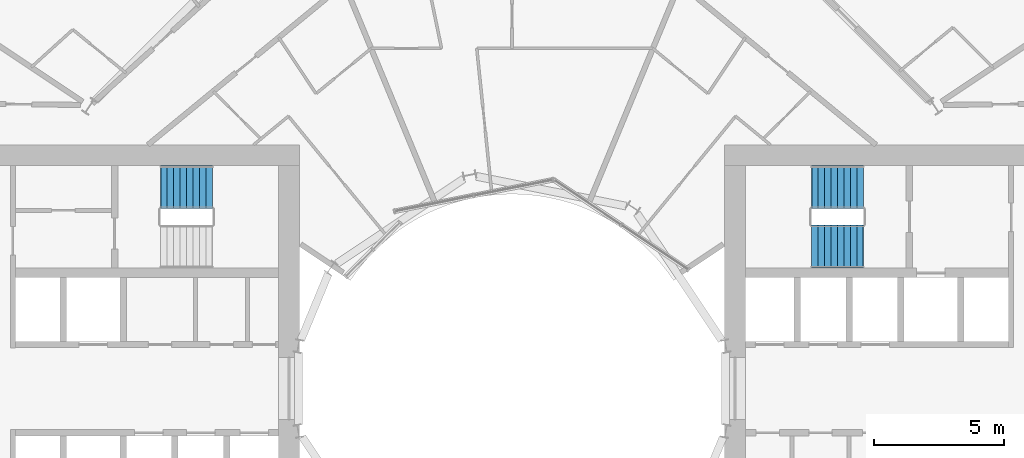
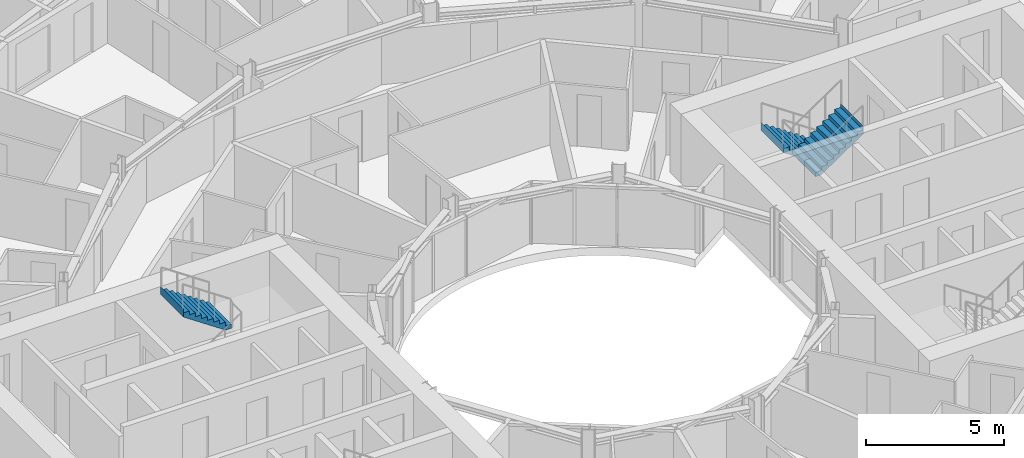
# One storey, part 24 of 26: 3 stair flights, 2 elements without a shape of their own.
"""IFC4 building model written with IfcOpenShell, lengths in metres."""

import ifcopenshell
import ifcopenshell.guid

model = None  # the IFC model being written
_history = None  # IfcOwnerHistory: only IFC2X3 demands one
_inside = {}  # id of a spatial element -> (the spatial element, [elements in it])
_under = {}  # id of a project, library or spatial element -> (it, [spatial elements below it])
_declared = {}  # id of a project -> (the project, [libraries it declares])
_typed = {}  # id of a type object -> (the type object, [elements of that type])
_made_of = {}  # id of a material, layer set ... -> (it, [elements and type objects made of it])


def new_model(schema):
    """Start an empty IFC model of exactly this schema.

    Asked for "IFC4X3", IfcOpenShell would pick the latest addendum, in which some entities
    have other attributes; the version numbers below select the first issue.
    IFC2X3 requires an IfcOwnerHistory on every rooted entity: one is made here for all.
    """
    global model, _history
    if schema == "IFC4X3":
        model = ifcopenshell.file(schema_version=(4, 3, 0, 0))
    else:
        model = ifcopenshell.file(schema=schema)
    _inside.clear()
    _under.clear()
    _declared.clear()
    _typed.clear()
    _made_of.clear()
    _history = None
    if model.schema == "IFC2X3":
        org = make("IfcOrganization", Name="unknown")
        user = make(
            "IfcPersonAndOrganization",
            ThePerson=make("IfcPerson", FamilyName="unknown"),
            TheOrganization=org,
        )
        app = make(
            "IfcApplication",
            ApplicationDeveloper=org,
            Version="unknown",
            ApplicationFullName="unknown",
            ApplicationIdentifier="unknown",
        )
        _history = make(
            "IfcOwnerHistory",
            OwningUser=user,
            OwningApplication=app,
            ChangeAction="ADDED",
            CreationDate=0,
        )
    return model


def make(cls, **values):
    """One entity of the class cls with the attributes given. An attribute that is None is left unset."""
    return model.create_entity(
        cls, **{name: value for name, value in values.items() if value is not None}
    )


def rooted(cls, **values):
    """An entity with a GlobalId (a new one), such as an element, a storey or a relation."""
    return make(cls, GlobalId=ifcopenshell.guid.new(), OwnerHistory=_history, **values)


def si_unit(unit_type, name, prefix=None):
    """IfcSIUnit, for example si_unit("LENGTHUNIT", "METRE", prefix="MILLI")."""
    return make("IfcSIUnit", UnitType=unit_type, Prefix=prefix, Name=name)


def assignment(units):
    """IfcUnitAssignment: the units of a project."""
    return None if units is None else make("IfcUnitAssignment", Units=units)


def point(xyz):
    """IfcCartesianPoint."""
    return None if xyz is None else make("IfcCartesianPoint", Coordinates=xyz)


def direction(xyz):
    """IfcDirection."""
    return None if xyz is None else make("IfcDirection", DirectionRatios=xyz)


def frame(location, z_axis=None, x_axis=None):
    """IfcAxis2Placement3D, a coordinate frame: its origin and axes. An axis left out is left unset."""
    return make(
        "IfcAxis2Placement3D",
        Location=point(location),
        Axis=direction(z_axis),
        RefDirection=direction(x_axis),
    )


def origin():
    """The frame at (0, 0, 0) with its axes left unset."""
    return frame((0.0, 0.0, 0.0))


def place(relative_to, where):
    """IfcLocalPlacement: puts the frame where relative to a parent placement (None: the world)."""
    return make(
        "IfcLocalPlacement", PlacementRelTo=relative_to, RelativePlacement=where
    )


def context(
    kind, dimensions, precision=None, world=None, true_north=None, identifier=None
):
    """IfcGeometricRepresentationContext, for example the 3D "Model" context."""
    return make(
        "IfcGeometricRepresentationContext",
        ContextIdentifier=identifier,
        ContextType=kind,
        CoordinateSpaceDimension=dimensions,
        Precision=precision,
        WorldCoordinateSystem=world,
        TrueNorth=true_north,
    )


def subcontext(parent, identifier, kind, view, scale=None):
    """IfcGeometricRepresentationSubContext, for example "Body" below "Model"."""
    return make(
        "IfcGeometricRepresentationSubContext",
        ContextIdentifier=identifier,
        ContextType=kind,
        ParentContext=parent,
        TargetScale=scale,
        TargetView=view,
    )


def project(units=None, contexts=None):
    """IfcProject with its units and contexts."""
    return rooted(
        "IfcProject",
        Name="project",
        RepresentationContexts=contexts,
        UnitsInContext=assignment(units),
    )


def spatial(cls, under=None, at=None, **own):
    """A site, building, storey or space (cls), placed at a placement, below another one or the project."""
    s = rooted(cls, ObjectPlacement=at, **own)
    if under is not None:
        _under.setdefault(under.id(), (under, []))[1].append(s)
    return s


def point_list(points):
    """IfcCartesianPointList2D or 3D."""
    cls = (
        "IfcCartesianPointList2D" if len(points[0]) == 2 else "IfcCartesianPointList3D"
    )
    return make(cls, CoordList=points)


def triangles(points, corners, closed=None, point_numbers=None):
    """IfcTriangulatedFaceSet: each triangle names its three corners, points numbered from 1."""
    return make(
        "IfcTriangulatedFaceSet",
        Coordinates=point_list(points),
        Closed=closed,
        CoordIndex=corners,
        PnIndex=point_numbers,
    )


def shape(context_of_items, identifier, shape_type, items):
    """IfcShapeRepresentation: the items that make up one representation, for example the "Body"."""
    return make(
        "IfcShapeRepresentation",
        ContextOfItems=context_of_items,
        RepresentationIdentifier=identifier,
        RepresentationType=shape_type,
        Items=items,
    )


def material(Name=None, Category=None):
    """IfcMaterial."""
    return make("IfcMaterial", Name=Name, Category=Category)


def made_of(thing, what):
    """Note that an element or type object is made of a material, layer set ...; save() writes the relation."""
    if what is not None:
        _made_of.setdefault(what.id(), (what, []))[1].append(thing)
    return thing


def type_object(cls, material=None, **own):
    """A type object (cls), such as IfcWallType, which elements share."""
    return made_of(rooted(cls, **own), material)


def element(
    cls,
    number,
    at=None,
    inside=None,
    cuts=None,
    type_object=None,
    material=None,
    context=None,
    identifier="Body",
    shape_type=None,
    held_by="IfcProductDefinitionShape",
    body=None,
    shapes=None,
    **own,
):
    """One element of the class cls, such as IfcWall. Its Tag is "e" and its number.

    at: its placement. inside: the storey or other place that contains it. cuts: it is an
    opening in that element (IfcRelVoidsElement). A single representation is given by context,
    identifier, shape_type and body (its items); several are given by shapes. held_by: the class
    of the entity that holds the representations. save() writes the other relations.
    """
    e = rooted(cls, Tag="e%d" % number, ObjectPlacement=at, **own)
    if body is not None:
        shapes = [shape(context, identifier, shape_type, body)]
    if shapes is not None:
        e.Representation = make(held_by, Representations=shapes)
    if inside is not None:
        _inside.setdefault(inside.id(), (inside, []))[1].append(e)
    if cuts is not None:
        rooted(
            "IfcRelVoidsElement", RelatingBuildingElement=cuts, RelatedOpeningElement=e
        )
    if type_object is not None:
        _typed.setdefault(type_object.id(), (type_object, []))[1].append(e)
    return made_of(e, material)


def aggregate(whole, parts):
    """IfcRelAggregates: a whole, such as a stair, and the parts it consists of."""
    return rooted("IfcRelAggregates", RelatingObject=whole, RelatedObjects=parts)


def save(model, path):
    """Write the relations noted so far, then the file.

    IfcRelAggregates (storeys below a building ...), IfcRelContainedInSpatialStructure (elements
    in a storey), IfcRelDefinesByType, IfcRelAssociatesMaterial and IfcRelDeclares: one each for
    every whole, place, type object, material and project.
    """
    for whole, parts in _under.values():
        aggregate(whole, parts)
    for where, things in _inside.values():
        rooted(
            "IfcRelContainedInSpatialStructure",
            RelatedElements=things,
            RelatingStructure=where,
        )
    for kind, things in _typed.values():
        rooted("IfcRelDefinesByType", RelatedObjects=things, RelatingType=kind)
    for what, things in _made_of.values():
        rooted("IfcRelAssociatesMaterial", RelatedObjects=things, RelatingMaterial=what)
    for by, libraries in _declared.values():
        rooted("IfcRelDeclares", RelatingContext=by, RelatedDefinitions=libraries)
    model.write(path)


model = new_model("IFC4")

# Units and contexts
model_context = context("Model", 3, precision=1e-05, world=origin(), true_north=direction((0.0, 1.0)))
body_context = subcontext(model_context, "Body", "Model", "MODEL_VIEW")
ifc_project = project(units=[si_unit("LENGTHUNIT", "METRE"), si_unit("AREAUNIT", "SQUARE_METRE"), si_unit("VOLUMEUNIT", "CUBIC_METRE"), si_unit("PLANEANGLEUNIT", "RADIAN"), si_unit("MASSUNIT", "GRAM", prefix="KILO")], contexts=[model_context])

# Site, building, storey
site_placement = place(None, origin())
site = spatial("IfcSite", under=ifc_project, at=site_placement, CompositionType="ELEMENT")
building_placement = place(site_placement, origin())
building = spatial("IfcBuilding", under=site, at=building_placement, Name="Maasbend Ring Residences", CompositionType="ELEMENT")
storey_placement = place(building_placement, frame((0.0, 0.0, 38.050048828125)))
storey = spatial("IfcBuildingStorey", under=building, at=storey_placement, Name="L10", CompositionType="ELEMENT", Elevation=38.050048828125)

# Stair, stair flights
ifc_material_1 = material(Name="Concrete C40/50", Category="concrete")
stair_type = type_object("IfcStairType", Name="CORE STAIR 18 RISERS", PredefinedType="HALF_TURN_STAIR", material=ifc_material_1)
stair_1_placement = place(storey_placement, origin())
stair_1 = element("IfcStair", 1, at=stair_1_placement, inside=storey, type_object=stair_type, Name="L10 Exit stair ST-E1", PredefinedType="HALF_TURN_STAIR")
ifc_material_2 = material(Name="Concrete C40/50", Category="concrete")
stair_flight_type = type_object("IfcStairFlightType", Name="CORE STAIR FLIGHT 1650", PredefinedType="STRAIGHT", material=ifc_material_2)
stair_flight_1_placement = place(storey_placement, frame((13.550048828125, 7.77490234375, 0.0), z_axis=(0.0, 0.0, 1.0), x_axis=(-1.0, 0.0, 0.0)))
stair_flight_1 = element("IfcStairFlight", 2, at=stair_flight_1_placement, type_object=stair_flight_type, Name="ST-E1 flight 1", NumberOfRisers=9, NumberOfTreads=8, PredefinedType="STRAIGHT", RiserHeight=0.169444444, TreadLength=0.25, context=body_context, shape_type="Tessellation", body=[
    triangles([(0.24072265625, 0.824951171875, -0.02001953125), (2.0029296875, 0.824951171875, 1.174560546875), (2.0029296875, 0.824951171875, 1.52490234375), (1.989990234375, 0.824951171875, 1.35546875), (1.75, 0.824951171875, 1.35546875), (1.75, 0.824951171875, 1.18603515625), (1.5, 0.824951171875, 1.18603515625), (1.5, 0.824951171875, 1.0166015625), (1.25, 0.824951171875, 1.0166015625), (1.25, 0.824951171875, 0.84716796875), (1.0, 0.824951171875, 0.84716796875), (1.0, 0.824951171875, 0.677734375), (0.75, 0.824951171875, 0.677734375), (0.75, 0.824951171875, 0.50830078125), (0.5, 0.824951171875, 0.50830078125), (0.5, 0.824951171875, 0.3388671875), (0.25, 0.824951171875, 0.3388671875), (0.25, 0.824951171875, 0.16943359375), (0.0, 0.824951171875, 0.16943359375), (0.0, 0.824951171875, 0.0), (-0.0029296875, 0.824951171875, 0.0), (-0.0029296875, 0.824951171875, -0.02001953125), (0.24072265625, 0.27490234375, -0.02001953125), (2.0029296875, 0.27490234375, 1.174560546875), (2.0029296875, 0.27490234375, 1.52490234375), (1.989990234375, 0.27490234375, 1.35546875), (1.75, 0.27490234375, 1.35546875), (1.75, 0.27490234375, 1.18603515625), (1.5, 0.27490234375, 1.18603515625), (1.5, 0.27490234375, 1.0166015625), (1.25, 0.27490234375, 1.0166015625), (1.25, 0.27490234375, 0.84716796875), (1.0, 0.27490234375, 0.84716796875), (1.0, 0.27490234375, 0.677734375), (0.75, 0.27490234375, 0.677734375), (0.75, 0.27490234375, 0.50830078125), (0.5, 0.27490234375, 0.50830078125), (0.5, 0.27490234375, 0.3388671875), (0.25, 0.27490234375, 0.3388671875), (0.25, 0.27490234375, 0.16943359375), (0.0, 0.27490234375, 0.16943359375), (0.0, 0.27490234375, 0.0), (-0.0029296875, 0.27490234375, 0.0), (-0.0029296875, 0.27490234375, -0.02001953125), (0.24072265625, -0.27490234375, -0.02001953125), (2.0029296875, -0.27490234375, 1.174560546875), (2.0029296875, -0.27490234375, 1.52490234375), (1.989990234375, -0.27490234375, 1.35546875), (1.75, -0.27490234375, 1.35546875), (1.75, -0.27490234375, 1.18603515625), (1.5, -0.27490234375, 1.18603515625), (1.5, -0.27490234375, 1.0166015625), (1.25, -0.27490234375, 1.0166015625), (1.25, -0.27490234375, 0.84716796875), (1.0, -0.27490234375, 0.84716796875), (1.0, -0.27490234375, 0.677734375), (0.75, -0.27490234375, 0.677734375), (0.75, -0.27490234375, 0.50830078125), (0.5, -0.27490234375, 0.50830078125), (0.5, -0.27490234375, 0.3388671875), (0.25, -0.27490234375, 0.3388671875), (0.25, -0.27490234375, 0.16943359375), (0.0, -0.27490234375, 0.16943359375), (0.0, -0.27490234375, 0.0), (-0.0029296875, -0.27490234375, 0.0), (-0.0029296875, -0.27490234375, -0.02001953125), (0.24072265625, -0.824951171875, -0.02001953125), (2.0029296875, -0.824951171875, 1.174560546875), (2.0029296875, -0.824951171875, 1.52490234375), (1.989990234375, -0.824951171875, 1.35546875), (1.75, -0.824951171875, 1.35546875), (1.75, -0.824951171875, 1.18603515625), (1.5, -0.824951171875, 1.18603515625), (1.5, -0.824951171875, 1.0166015625), (1.25, -0.824951171875, 1.0166015625), (1.25, -0.824951171875, 0.84716796875), (1.0, -0.824951171875, 0.84716796875), (1.0, -0.824951171875, 0.677734375), (0.75, -0.824951171875, 0.677734375), (0.75, -0.824951171875, 0.50830078125), (0.5, -0.824951171875, 0.50830078125), (0.5, -0.824951171875, 0.3388671875), (0.25, -0.824951171875, 0.3388671875), (0.25, -0.824951171875, 0.16943359375), (0.0, -0.824951171875, 0.16943359375), (0.0, -0.824951171875, 0.0), (-0.0029296875, -0.824951171875, 0.0), (-0.0029296875, -0.824951171875, -0.02001953125)], [[1, 2, 24], [1, 24, 23], [23, 24, 46], [23, 46, 45], [45, 46, 68], [45, 68, 67], [2, 3, 25], [2, 25, 24], [24, 25, 47], [24, 47, 46], [46, 47, 69], [46, 69, 68], [3, 4, 26], [3, 26, 25], [25, 26, 48], [25, 48, 47], [47, 48, 70], [47, 70, 69], [4, 5, 27], [4, 27, 26], [26, 27, 49], [26, 49, 48], [48, 49, 71], [48, 71, 70], [5, 6, 28], [5, 28, 27], [27, 28, 50], [27, 50, 49], [49, 50, 72], [49, 72, 71], [6, 7, 29], [6, 29, 28], [28, 29, 51], [28, 51, 50], [50, 51, 73], [50, 73, 72], [7, 8, 30], [7, 30, 29], [29, 30, 52], [29, 52, 51], [51, 52, 74], [51, 74, 73], [8, 9, 31], [8, 31, 30], [30, 31, 53], [30, 53, 52], [52, 53, 75], [52, 75, 74], [9, 10, 32], [9, 32, 31], [31, 32, 54], [31, 54, 53], [53, 54, 76], [53, 76, 75], [10, 11, 33], [10, 33, 32], [32, 33, 55], [32, 55, 54], [54, 55, 77], [54, 77, 76], [11, 12, 34], [11, 34, 33], [33, 34, 56], [33, 56, 55], [55, 56, 78], [55, 78, 77], [12, 13, 35], [12, 35, 34], [34, 35, 57], [34, 57, 56], [56, 57, 79], [56, 79, 78], [13, 14, 36], [13, 36, 35], [35, 36, 58], [35, 58, 57], [57, 58, 80], [57, 80, 79], [14, 15, 37], [14, 37, 36], [36, 37, 59], [36, 59, 58], [58, 59, 81], [58, 81, 80], [15, 16, 38], [15, 38, 37], [37, 38, 60], [37, 60, 59], [59, 60, 82], [59, 82, 81], [16, 17, 39], [16, 39, 38], [38, 39, 61], [38, 61, 60], [60, 61, 83], [60, 83, 82], [17, 18, 40], [17, 40, 39], [39, 40, 62], [39, 62, 61], [61, 62, 84], [61, 84, 83], [18, 19, 41], [18, 41, 40], [40, 41, 63], [40, 63, 62], [62, 63, 85], [62, 85, 84], [19, 20, 42], [19, 42, 41], [41, 42, 64], [41, 64, 63], [63, 64, 86], [63, 86, 85], [20, 21, 43], [20, 43, 42], [42, 43, 65], [42, 65, 64], [64, 65, 87], [64, 87, 86], [21, 22, 44], [21, 44, 43], [43, 44, 66], [43, 66, 65], [65, 66, 88], [65, 88, 87], [22, 1, 23], [22, 23, 44], [44, 23, 45], [44, 45, 66], [66, 45, 67], [66, 67, 88], [22, 2, 1], [2, 4, 3], [2, 5, 4], [2, 6, 5], [22, 6, 2], [6, 8, 7], [22, 8, 6], [8, 10, 9], [22, 10, 8], [10, 12, 11], [22, 12, 10], [12, 14, 13], [22, 14, 12], [14, 16, 15], [22, 16, 14], [16, 18, 17], [22, 18, 16], [18, 20, 19], [22, 20, 18], [20, 22, 21], [88, 67, 68], [68, 69, 70], [68, 70, 71], [68, 71, 72], [88, 68, 72], [72, 73, 74], [88, 72, 74], [74, 75, 76], [88, 74, 76], [76, 77, 78], [88, 76, 78], [78, 79, 80], [88, 78, 80], [80, 81, 82], [88, 80, 82], [82, 83, 84], [88, 82, 84], [84, 85, 86], [88, 84, 86], [86, 87, 88]], closed=True),
])
stair_flight_2_placement = place(storey_placement, frame((11.550048828125, 5.47509765625, 1.52490234375), z_axis=(0.0, 0.0, 1.0), x_axis=(1.0, 0.0, 0.0)))
stair_flight_2 = element("IfcStairFlight", 3, at=stair_flight_2_placement, type_object=stair_flight_type, Name="ST-E1 flight 2", NumberOfRisers=9, NumberOfTreads=8, PredefinedType="STRAIGHT", RiserHeight=0.169444444, TreadLength=0.25, context=body_context, shape_type="Tessellation", body=[
    triangles([(0.24072265625, 0.824951171875, -0.02001953125), (2.0029296875, 0.824951171875, 1.174560546875), (2.0029296875, 0.824951171875, 1.52490234375), (1.989990234375, 0.824951171875, 1.35546875), (1.75, 0.824951171875, 1.35546875), (1.75, 0.824951171875, 1.18603515625), (1.5, 0.824951171875, 1.18603515625), (1.5, 0.824951171875, 1.0166015625), (1.25, 0.824951171875, 1.0166015625), (1.25, 0.824951171875, 0.84716796875), (1.0, 0.824951171875, 0.84716796875), (1.0, 0.824951171875, 0.677734375), (0.75, 0.824951171875, 0.677734375), (0.75, 0.824951171875, 0.50830078125), (0.5, 0.824951171875, 0.50830078125), (0.5, 0.824951171875, 0.3388671875), (0.25, 0.824951171875, 0.3388671875), (0.25, 0.824951171875, 0.16943359375), (0.0, 0.824951171875, 0.16943359375), (0.0, 0.824951171875, 0.0), (-0.0029296875, 0.824951171875, 0.0), (-0.0029296875, 0.824951171875, -0.02001953125), (0.24072265625, 0.27490234375, -0.02001953125), (2.0029296875, 0.27490234375, 1.174560546875), (2.0029296875, 0.27490234375, 1.52490234375), (1.989990234375, 0.27490234375, 1.35546875), (1.75, 0.27490234375, 1.35546875), (1.75, 0.27490234375, 1.18603515625), (1.5, 0.27490234375, 1.18603515625), (1.5, 0.27490234375, 1.0166015625), (1.25, 0.27490234375, 1.0166015625), (1.25, 0.27490234375, 0.84716796875), (1.0, 0.27490234375, 0.84716796875), (1.0, 0.27490234375, 0.677734375), (0.75, 0.27490234375, 0.677734375), (0.75, 0.27490234375, 0.50830078125), (0.5, 0.27490234375, 0.50830078125), (0.5, 0.27490234375, 0.3388671875), (0.25, 0.27490234375, 0.3388671875), (0.25, 0.27490234375, 0.16943359375), (0.0, 0.27490234375, 0.16943359375), (0.0, 0.27490234375, 0.0), (-0.0029296875, 0.27490234375, 0.0), (-0.0029296875, 0.27490234375, -0.02001953125), (0.24072265625, -0.27490234375, -0.02001953125), (2.0029296875, -0.27490234375, 1.174560546875), (2.0029296875, -0.27490234375, 1.52490234375), (1.989990234375, -0.27490234375, 1.35546875), (1.75, -0.27490234375, 1.35546875), (1.75, -0.27490234375, 1.18603515625), (1.5, -0.27490234375, 1.18603515625), (1.5, -0.27490234375, 1.0166015625), (1.25, -0.27490234375, 1.0166015625), (1.25, -0.27490234375, 0.84716796875), (1.0, -0.27490234375, 0.84716796875), (1.0, -0.27490234375, 0.677734375), (0.75, -0.27490234375, 0.677734375), (0.75, -0.27490234375, 0.50830078125), (0.5, -0.27490234375, 0.50830078125), (0.5, -0.27490234375, 0.3388671875), (0.25, -0.27490234375, 0.3388671875), (0.25, -0.27490234375, 0.16943359375), (0.0, -0.27490234375, 0.16943359375), (0.0, -0.27490234375, 0.0), (-0.0029296875, -0.27490234375, 0.0), (-0.0029296875, -0.27490234375, -0.02001953125), (0.24072265625, -0.824951171875, -0.02001953125), (2.0029296875, -0.824951171875, 1.174560546875), (2.0029296875, -0.824951171875, 1.52490234375), (1.989990234375, -0.824951171875, 1.35546875), (1.75, -0.824951171875, 1.35546875), (1.75, -0.824951171875, 1.18603515625), (1.5, -0.824951171875, 1.18603515625), (1.5, -0.824951171875, 1.0166015625), (1.25, -0.824951171875, 1.0166015625), (1.25, -0.824951171875, 0.84716796875), (1.0, -0.824951171875, 0.84716796875), (1.0, -0.824951171875, 0.677734375), (0.75, -0.824951171875, 0.677734375), (0.75, -0.824951171875, 0.50830078125), (0.5, -0.824951171875, 0.50830078125), (0.5, -0.824951171875, 0.3388671875), (0.25, -0.824951171875, 0.3388671875), (0.25, -0.824951171875, 0.16943359375), (0.0, -0.824951171875, 0.16943359375), (0.0, -0.824951171875, 0.0), (-0.0029296875, -0.824951171875, 0.0), (-0.0029296875, -0.824951171875, -0.02001953125)], [[1, 2, 24], [1, 24, 23], [23, 24, 46], [23, 46, 45], [45, 46, 68], [45, 68, 67], [2, 3, 25], [2, 25, 24], [24, 25, 47], [24, 47, 46], [46, 47, 69], [46, 69, 68], [3, 4, 26], [3, 26, 25], [25, 26, 48], [25, 48, 47], [47, 48, 70], [47, 70, 69], [4, 5, 27], [4, 27, 26], [26, 27, 49], [26, 49, 48], [48, 49, 71], [48, 71, 70], [5, 6, 28], [5, 28, 27], [27, 28, 50], [27, 50, 49], [49, 50, 72], [49, 72, 71], [6, 7, 29], [6, 29, 28], [28, 29, 51], [28, 51, 50], [50, 51, 73], [50, 73, 72], [7, 8, 30], [7, 30, 29], [29, 30, 52], [29, 52, 51], [51, 52, 74], [51, 74, 73], [8, 9, 31], [8, 31, 30], [30, 31, 53], [30, 53, 52], [52, 53, 75], [52, 75, 74], [9, 10, 32], [9, 32, 31], [31, 32, 54], [31, 54, 53], [53, 54, 76], [53, 76, 75], [10, 11, 33], [10, 33, 32], [32, 33, 55], [32, 55, 54], [54, 55, 77], [54, 77, 76], [11, 12, 34], [11, 34, 33], [33, 34, 56], [33, 56, 55], [55, 56, 78], [55, 78, 77], [12, 13, 35], [12, 35, 34], [34, 35, 57], [34, 57, 56], [56, 57, 79], [56, 79, 78], [13, 14, 36], [13, 36, 35], [35, 36, 58], [35, 58, 57], [57, 58, 80], [57, 80, 79], [14, 15, 37], [14, 37, 36], [36, 37, 59], [36, 59, 58], [58, 59, 81], [58, 81, 80], [15, 16, 38], [15, 38, 37], [37, 38, 60], [37, 60, 59], [59, 60, 82], [59, 82, 81], [16, 17, 39], [16, 39, 38], [38, 39, 61], [38, 61, 60], [60, 61, 83], [60, 83, 82], [17, 18, 40], [17, 40, 39], [39, 40, 62], [39, 62, 61], [61, 62, 84], [61, 84, 83], [18, 19, 41], [18, 41, 40], [40, 41, 63], [40, 63, 62], [62, 63, 85], [62, 85, 84], [19, 20, 42], [19, 42, 41], [41, 42, 64], [41, 64, 63], [63, 64, 86], [63, 86, 85], [20, 21, 43], [20, 43, 42], [42, 43, 65], [42, 65, 64], [64, 65, 87], [64, 87, 86], [21, 22, 44], [21, 44, 43], [43, 44, 66], [43, 66, 65], [65, 66, 88], [65, 88, 87], [22, 1, 23], [22, 23, 44], [44, 23, 45], [44, 45, 66], [66, 45, 67], [66, 67, 88], [22, 2, 1], [2, 4, 3], [2, 5, 4], [2, 6, 5], [22, 6, 2], [6, 8, 7], [22, 8, 6], [8, 10, 9], [22, 10, 8], [10, 12, 11], [22, 12, 10], [12, 14, 13], [22, 14, 12], [14, 16, 15], [22, 16, 14], [16, 18, 17], [22, 18, 16], [18, 20, 19], [22, 20, 18], [20, 22, 21], [88, 67, 68], [68, 69, 70], [68, 70, 71], [68, 71, 72], [88, 68, 72], [72, 73, 74], [88, 72, 74], [74, 75, 76], [88, 74, 76], [76, 77, 78], [88, 76, 78], [78, 79, 80], [88, 78, 80], [80, 81, 82], [88, 80, 82], [82, 83, 84], [88, 82, 84], [84, 85, 86], [88, 84, 86], [86, 87, 88]], closed=True),
])
aggregate(stair_1, [stair_flight_1, stair_flight_2])

# Stair, stair flight
stair_2_placement = place(storey_placement, origin())
stair_2 = element("IfcStair", 4, at=stair_2_placement, inside=storey, type_object=stair_type, Name="L10 Exit stair ST-W2", PredefinedType="HALF_TURN_STAIR")
stair_flight_3_placement = place(storey_placement, frame((-11.550048828125, 7.77490234375, 1.52490234375), z_axis=(0.0, 0.0, 1.0), x_axis=(-1.0, 0.0, 0.0)))
stair_flight_3 = element("IfcStairFlight", 5, at=stair_flight_3_placement, type_object=stair_flight_type, Name="ST-W2 flight 2", NumberOfRisers=9, NumberOfTreads=8, PredefinedType="STRAIGHT", RiserHeight=0.169444444, TreadLength=0.25, context=body_context, shape_type="Tessellation", body=[
    triangles([(0.24072265625, 0.824951171875, -0.02001953125), (2.0029296875, 0.824951171875, 1.174560546875), (2.0029296875, 0.824951171875, 1.52490234375), (1.989990234375, 0.824951171875, 1.35546875), (1.75, 0.824951171875, 1.35546875), (1.75, 0.824951171875, 1.18603515625), (1.5, 0.824951171875, 1.18603515625), (1.5, 0.824951171875, 1.0166015625), (1.25, 0.824951171875, 1.0166015625), (1.25, 0.824951171875, 0.84716796875), (1.0, 0.824951171875, 0.84716796875), (1.0, 0.824951171875, 0.677734375), (0.75, 0.824951171875, 0.677734375), (0.75, 0.824951171875, 0.50830078125), (0.5, 0.824951171875, 0.50830078125), (0.5, 0.824951171875, 0.3388671875), (0.25, 0.824951171875, 0.3388671875), (0.25, 0.824951171875, 0.16943359375), (0.0, 0.824951171875, 0.16943359375), (0.0, 0.824951171875, 0.0), (-0.0029296875, 0.824951171875, 0.0), (-0.0029296875, 0.824951171875, -0.02001953125), (0.24072265625, 0.27490234375, -0.02001953125), (2.0029296875, 0.27490234375, 1.174560546875), (2.0029296875, 0.27490234375, 1.52490234375), (1.989990234375, 0.27490234375, 1.35546875), (1.75, 0.27490234375, 1.35546875), (1.75, 0.27490234375, 1.18603515625), (1.5, 0.27490234375, 1.18603515625), (1.5, 0.27490234375, 1.0166015625), (1.25, 0.27490234375, 1.0166015625), (1.25, 0.27490234375, 0.84716796875), (1.0, 0.27490234375, 0.84716796875), (1.0, 0.27490234375, 0.677734375), (0.75, 0.27490234375, 0.677734375), (0.75, 0.27490234375, 0.50830078125), (0.5, 0.27490234375, 0.50830078125), (0.5, 0.27490234375, 0.3388671875), (0.25, 0.27490234375, 0.3388671875), (0.25, 0.27490234375, 0.16943359375), (0.0, 0.27490234375, 0.16943359375), (0.0, 0.27490234375, 0.0), (-0.0029296875, 0.27490234375, 0.0), (-0.0029296875, 0.27490234375, -0.02001953125), (0.24072265625, -0.27490234375, -0.02001953125), (2.0029296875, -0.27490234375, 1.174560546875), (2.0029296875, -0.27490234375, 1.52490234375), (1.989990234375, -0.27490234375, 1.35546875), (1.75, -0.27490234375, 1.35546875), (1.75, -0.27490234375, 1.18603515625), (1.5, -0.27490234375, 1.18603515625), (1.5, -0.27490234375, 1.0166015625), (1.25, -0.27490234375, 1.0166015625), (1.25, -0.27490234375, 0.84716796875), (1.0, -0.27490234375, 0.84716796875), (1.0, -0.27490234375, 0.677734375), (0.75, -0.27490234375, 0.677734375), (0.75, -0.27490234375, 0.50830078125), (0.5, -0.27490234375, 0.50830078125), (0.5, -0.27490234375, 0.3388671875), (0.25, -0.27490234375, 0.3388671875), (0.25, -0.27490234375, 0.16943359375), (0.0, -0.27490234375, 0.16943359375), (0.0, -0.27490234375, 0.0), (-0.0029296875, -0.27490234375, 0.0), (-0.0029296875, -0.27490234375, -0.02001953125), (0.24072265625, -0.824951171875, -0.02001953125), (2.0029296875, -0.824951171875, 1.174560546875), (2.0029296875, -0.824951171875, 1.52490234375), (1.989990234375, -0.824951171875, 1.35546875), (1.75, -0.824951171875, 1.35546875), (1.75, -0.824951171875, 1.18603515625), (1.5, -0.824951171875, 1.18603515625), (1.5, -0.824951171875, 1.0166015625), (1.25, -0.824951171875, 1.0166015625), (1.25, -0.824951171875, 0.84716796875), (1.0, -0.824951171875, 0.84716796875), (1.0, -0.824951171875, 0.677734375), (0.75, -0.824951171875, 0.677734375), (0.75, -0.824951171875, 0.50830078125), (0.5, -0.824951171875, 0.50830078125), (0.5, -0.824951171875, 0.3388671875), (0.25, -0.824951171875, 0.3388671875), (0.25, -0.824951171875, 0.16943359375), (0.0, -0.824951171875, 0.16943359375), (0.0, -0.824951171875, 0.0), (-0.0029296875, -0.824951171875, 0.0), (-0.0029296875, -0.824951171875, -0.02001953125)], [[1, 2, 24], [1, 24, 23], [23, 24, 46], [23, 46, 45], [45, 46, 68], [45, 68, 67], [2, 3, 25], [2, 25, 24], [24, 25, 47], [24, 47, 46], [46, 47, 69], [46, 69, 68], [3, 4, 26], [3, 26, 25], [25, 26, 48], [25, 48, 47], [47, 48, 70], [47, 70, 69], [4, 5, 27], [4, 27, 26], [26, 27, 49], [26, 49, 48], [48, 49, 71], [48, 71, 70], [5, 6, 28], [5, 28, 27], [27, 28, 50], [27, 50, 49], [49, 50, 72], [49, 72, 71], [6, 7, 29], [6, 29, 28], [28, 29, 51], [28, 51, 50], [50, 51, 73], [50, 73, 72], [7, 8, 30], [7, 30, 29], [29, 30, 52], [29, 52, 51], [51, 52, 74], [51, 74, 73], [8, 9, 31], [8, 31, 30], [30, 31, 53], [30, 53, 52], [52, 53, 75], [52, 75, 74], [9, 10, 32], [9, 32, 31], [31, 32, 54], [31, 54, 53], [53, 54, 76], [53, 76, 75], [10, 11, 33], [10, 33, 32], [32, 33, 55], [32, 55, 54], [54, 55, 77], [54, 77, 76], [11, 12, 34], [11, 34, 33], [33, 34, 56], [33, 56, 55], [55, 56, 78], [55, 78, 77], [12, 13, 35], [12, 35, 34], [34, 35, 57], [34, 57, 56], [56, 57, 79], [56, 79, 78], [13, 14, 36], [13, 36, 35], [35, 36, 58], [35, 58, 57], [57, 58, 80], [57, 80, 79], [14, 15, 37], [14, 37, 36], [36, 37, 59], [36, 59, 58], [58, 59, 81], [58, 81, 80], [15, 16, 38], [15, 38, 37], [37, 38, 60], [37, 60, 59], [59, 60, 82], [59, 82, 81], [16, 17, 39], [16, 39, 38], [38, 39, 61], [38, 61, 60], [60, 61, 83], [60, 83, 82], [17, 18, 40], [17, 40, 39], [39, 40, 62], [39, 62, 61], [61, 62, 84], [61, 84, 83], [18, 19, 41], [18, 41, 40], [40, 41, 63], [40, 63, 62], [62, 63, 85], [62, 85, 84], [19, 20, 42], [19, 42, 41], [41, 42, 64], [41, 64, 63], [63, 64, 86], [63, 86, 85], [20, 21, 43], [20, 43, 42], [42, 43, 65], [42, 65, 64], [64, 65, 87], [64, 87, 86], [21, 22, 44], [21, 44, 43], [43, 44, 66], [43, 66, 65], [65, 66, 88], [65, 88, 87], [22, 1, 23], [22, 23, 44], [44, 23, 45], [44, 45, 66], [66, 45, 67], [66, 67, 88], [22, 2, 1], [2, 4, 3], [2, 5, 4], [2, 6, 5], [22, 6, 2], [6, 8, 7], [22, 8, 6], [8, 10, 9], [22, 10, 8], [10, 12, 11], [22, 12, 10], [12, 14, 13], [22, 14, 12], [14, 16, 15], [22, 16, 14], [16, 18, 17], [22, 18, 16], [18, 20, 19], [22, 20, 18], [20, 22, 21], [88, 67, 68], [68, 69, 70], [68, 70, 71], [68, 71, 72], [88, 68, 72], [72, 73, 74], [88, 72, 74], [74, 75, 76], [88, 74, 76], [76, 77, 78], [88, 76, 78], [78, 79, 80], [88, 78, 80], [80, 81, 82], [88, 80, 82], [82, 83, 84], [88, 82, 84], [84, 85, 86], [88, 84, 86], [86, 87, 88]], closed=True),
])
aggregate(stair_2, [stair_flight_3])

save(model, "model.ifc")
